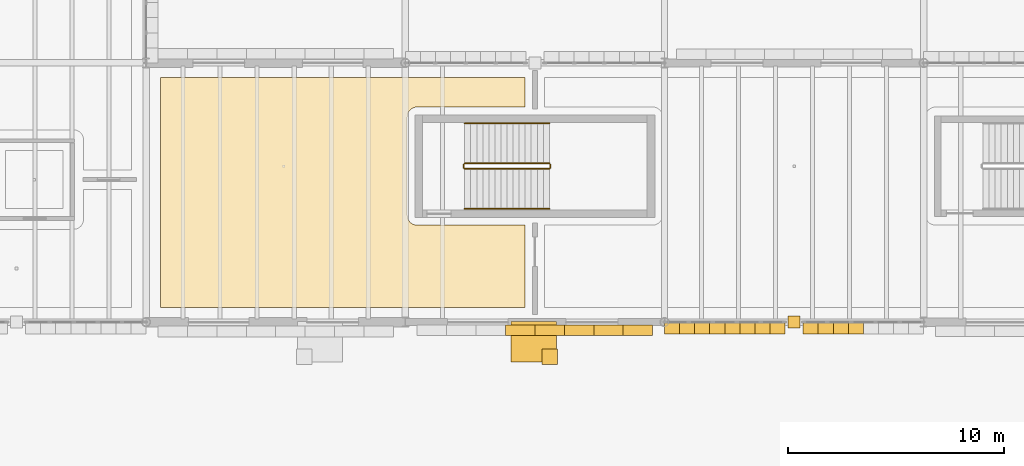
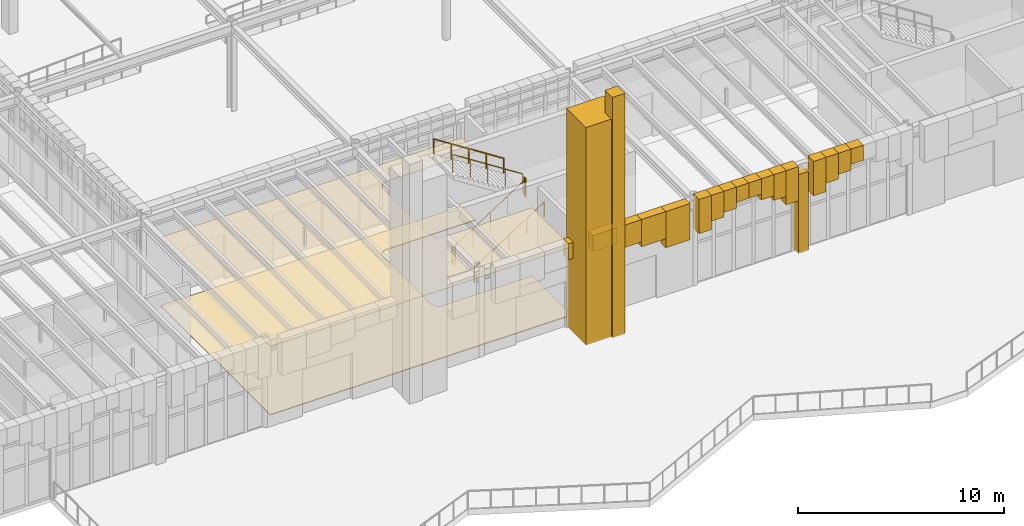
# One storey, part 84 of 103: 22 coverings, 6 railings.
"""IFC4 building model written with IfcOpenShell, lengths in metres."""

from ifc_helpers import new_model, si_unit, direction, frame, origin, origin_2d, place, context, subcontext, project, spatial, polyline, circle, outline, extrude, material, layer, layer_set, type_object, element, save


model = new_model("IFC4")

# Units and contexts
model_context = context("Model", 3, precision=1e-05, world=origin(), true_north=direction((0.0, 1.0)))
body_context = subcontext(model_context, "Body", "Model", "MODEL_VIEW")
ifc_project = project(units=[si_unit("LENGTHUNIT", "METRE"), si_unit("AREAUNIT", "SQUARE_METRE"), si_unit("VOLUMEUNIT", "CUBIC_METRE"), si_unit("PLANEANGLEUNIT", "RADIAN"), si_unit("MASSUNIT", "GRAM", prefix="KILO")], contexts=[model_context])

# Site, building, storey
site_placement = place(None, origin())
site = spatial("IfcSite", under=ifc_project, at=site_placement, CompositionType="ELEMENT")
building_placement = place(site_placement, origin())
building = spatial("IfcBuilding", under=site, at=building_placement, Name="Zlatogorsky Bluff Art Gallery", CompositionType="ELEMENT")
storey_placement = place(building_placement, origin())
storey = spatial("IfcBuildingStorey", under=building, at=storey_placement, Name="L00", CompositionType="ELEMENT", Elevation=0.0)

# Coverings
ifc_material_1 = material(Name="Perforated Gypsum Acoustic Board", Category="gypsum")
ifc_layer_1 = layer(ifc_material_1, 0.0400390625)
ifc_layer_set_1 = layer_set([ifc_layer_1], Name="Acoustic Gallery Ceiling CLG-01")
covering_type_1 = type_object("IfcCoveringType", Name="Acoustic Gallery Ceiling CLG-01", PredefinedType="CEILING", material=ifc_layer_set_1)
covering_1_placement = place(storey_placement, frame((0.0, 0.0, 4.050048828125)))
element("IfcCovering", 1, at=covering_1_placement, inside=storey, type_object=covering_type_1, Name="Winter-Garden Concourse acoustic ceiling", PredefinedType="CEILING", context=body_context, shape_type="SweptSolid", body=[
    extrude(outline(polyline([(77.550048828125, 93.9599609375), (72.549072265625, 93.9599609375), (72.504638671875, 93.957763671875), (72.460693359375, 93.951416015625), (72.459716796875, 93.951171875), (72.450439453125, 93.94921875), (72.449462890625, 93.948974609375), (72.40625, 93.93701171875), (72.3642578125, 93.9208984375), (72.36328125, 93.92041015625), (72.362548828125, 93.919921875), (72.326904296875, 93.902099609375), (72.325927734375, 93.901611328125), (72.293701171875, 93.882080078125), (72.26318359375, 93.859619140625), (72.26171875, 93.8583984375), (72.224609375, 93.8251953125), (72.19140625, 93.7880859375), (72.190185546875, 93.78662109375), (72.16796875, 93.75634765625), (72.148193359375, 93.72412109375), (72.147705078125, 93.72314453125), (72.1298828125, 93.6875), (72.129150390625, 93.685791015625), (72.113037109375, 93.643798828125), (72.10107421875, 93.6005859375), (72.100830078125, 93.599609375), (72.098876953125, 93.59033203125), (72.0986328125, 93.58935546875), (72.09228515625, 93.54541015625), (72.090087890625, 93.5009765625), (72.090087890625, 88.948974609375), (72.09228515625, 88.90478515625), (72.0986328125, 88.860595703125), (72.098876953125, 88.859619140625), (72.100830078125, 88.850341796875), (72.10107421875, 88.849609375), (72.113037109375, 88.80615234375), (72.129150390625, 88.764404296875), (72.1298828125, 88.762451171875), (72.147705078125, 88.726806640625), (72.148193359375, 88.725830078125), (72.16796875, 88.693603515625), (72.190185546875, 88.663330078125), (72.19140625, 88.661865234375), (72.224609375, 88.624755859375), (72.26171875, 88.591552734375), (72.26318359375, 88.59033203125), (72.293701171875, 88.568115234375), (72.325927734375, 88.54833984375), (72.326904296875, 88.5478515625), (72.362548828125, 88.530029296875), (72.3642578125, 88.529296875), (72.40625, 88.512939453125), (72.449462890625, 88.501220703125), (72.450439453125, 88.5009765625), (72.459716796875, 88.498779296875), (72.460693359375, 88.498779296875), (72.504638671875, 88.4921875), (72.549072265625, 88.489990234375), (77.550048828125, 88.489990234375), (77.550048828125, 84.669921875), (60.669921875, 84.669921875), (60.669921875, 95.330078125), (77.550048828125, 95.330078125), (77.550048828125, 93.9599609375)])), origin(), (0.0, 0.0, 1.0), 0.0400390625),
])
ifc_material_2 = material(Name="Honed Red Agra-Tone Quartzitic Sandstone", Category="masonry")
ifc_layer_2 = layer(ifc_material_2, 0.1201171875)
ifc_layer_set_2 = layer_set([ifc_layer_2], Name="Carved Sandstone Cladding CLD-02")
covering_type_2 = type_object("IfcCoveringType", Name="Carved Sandstone Cladding CLD-02", PredefinedType="CLADDING", material=ifc_layer_set_2)
covering_2_placement = place(storey_placement, frame((0.0, 0.0, 4.405517578125)))
element("IfcCovering", 2, at=covering_2_placement, inside=storey, type_object=covering_type_2, Name="Pointed Mughal arch voussoir spandrel WARCH-L00-S-06-08-A.4", PredefinedType="CLADDING", context=body_context, shape_type="SweptSolid", body=[
    extrude(outline(polyline([(76.637451171875, 83.3798828125), (78.0, 83.3798828125), (78.0, 83.8701171875), (76.637451171875, 83.8701171875), (76.637451171875, 83.3798828125)])), origin(), (0.0, 0.0, 1.0), 0.95458984375),
])
covering_3_placement = place(storey_placement, frame((0.0, 0.0, 4.405517578125)))
element("IfcCovering", 3, at=covering_3_placement, inside=storey, type_object=covering_type_2, Name="Pointed Mughal arch voussoir spandrel WARCH-L00-S-06-08-A.5", PredefinedType="CLADDING", context=body_context, shape_type="SweptSolid", body=[
    extrude(outline(polyline([(78.0, 83.3798828125), (79.362548828125, 83.3798828125), (79.362548828125, 83.8701171875), (78.0, 83.8701171875), (78.0, 83.3798828125)])), origin(), (0.0, 0.0, 1.0), 0.95458984375),
])
covering_4_placement = place(storey_placement, frame((0.0, 0.0, 4.03662109375)))
element("IfcCovering", 4, at=covering_4_placement, inside=storey, type_object=covering_type_2, Name="Pointed Mughal arch voussoir spandrel WARCH-L00-S-06-08-A.6", PredefinedType="CLADDING", context=body_context, shape_type="SweptSolid", body=[
    extrude(outline(polyline([(79.362548828125, 83.3798828125), (80.72509765625, 83.3798828125), (80.72509765625, 83.8701171875), (79.362548828125, 83.8701171875), (79.362548828125, 83.3798828125)])), origin(), (0.0, 0.0, 1.0), 1.323486328125),
])
covering_5_placement = place(storey_placement, frame((0.0, 0.0, 3.743896484375)))
element("IfcCovering", 5, at=covering_5_placement, inside=storey, type_object=covering_type_2, Name="Pointed Mughal arch voussoir spandrel WARCH-L00-S-06-08-A.7", PredefinedType="CLADDING", context=body_context, shape_type="SweptSolid", body=[
    extrude(outline(polyline([(80.72509765625, 83.3798828125), (82.08740234375, 83.3798828125), (82.08740234375, 83.8701171875), (80.72509765625, 83.8701171875), (80.72509765625, 83.3798828125)])), origin(), (0.0, 0.0, 1.0), 1.6162109375),
])
covering_6_placement = place(storey_placement, frame((0.0, 0.0, 3.21240234375)))
element("IfcCovering", 6, at=covering_6_placement, inside=storey, type_object=covering_type_2, Name="Pointed Mughal arch voussoir spandrel WARCH-L00-S-06-08-A.8", PredefinedType="CLADDING", context=body_context, shape_type="SweptSolid", body=[
    extrude(outline(polyline([(82.08740234375, 83.3798828125), (83.449951171875, 83.3798828125), (83.449951171875, 83.8701171875), (82.08740234375, 83.8701171875), (82.08740234375, 83.3798828125)])), origin(), (0.0, 0.0, 1.0), 2.147705078125),
])
covering_7_placement = place(storey_placement, frame((0.0, 0.0, -0.030029296875)))
element("IfcCovering", 7, at=covering_7_placement, inside=storey, type_object=covering_type_2, Name="Mughal dalan central sandstone pier L00 S 7.8", PredefinedType="CLADDING", context=body_context, shape_type="SweptSolid", body=[
    extrude(outline(polyline([(89.719970703125, 83.719970703125), (90.280029296875, 83.719970703125), (90.280029296875, 84.280029296875), (89.719970703125, 84.280029296875), (89.719970703125, 83.719970703125)])), origin(), (0.0, 0.0, 1.0), 4.68994140625),
])
covering_8_placement = place(storey_placement, frame((0.0, 0.0, 3.327880859375)))
element("IfcCovering", 8, at=covering_8_placement, inside=storey, type_object=covering_type_2, Name="Pointed Mughal arch voussoir spandrel ARCH-CW-L00-S-07-08-A.1", PredefinedType="CLADDING", context=body_context, shape_type="SweptSolid", body=[
    extrude(outline(polyline([(84.0, 83.4599609375), (84.697509765625, 83.4599609375), (84.697509765625, 84.030029296875), (84.0, 84.030029296875), (84.0, 83.4599609375)])), origin(), (0.0, 0.0, 1.0), 2.0322265625),
])
covering_9_placement = place(storey_placement, frame((0.0, 0.0, 3.82958984375)))
element("IfcCovering", 9, at=covering_9_placement, inside=storey, type_object=covering_type_2, Name="Pointed Mughal arch voussoir spandrel ARCH-CW-L00-S-07-08-A.2", PredefinedType="CLADDING", context=body_context, shape_type="SweptSolid", body=[
    extrude(outline(polyline([(84.697509765625, 83.4599609375), (85.39501953125, 83.4599609375), (85.39501953125, 84.030029296875), (84.697509765625, 84.030029296875), (84.697509765625, 83.4599609375)])), origin(), (0.0, 0.0, 1.0), 1.530517578125),
])
covering_10_placement = place(storey_placement, frame((0.0, 0.0, 4.1064453125)))
element("IfcCovering", 10, at=covering_10_placement, inside=storey, type_object=covering_type_2, Name="Pointed Mughal arch voussoir spandrel ARCH-CW-L00-S-07-08-A.3", PredefinedType="CLADDING", context=body_context, shape_type="SweptSolid", body=[
    extrude(outline(polyline([(85.39501953125, 83.4599609375), (86.092529296875, 83.4599609375), (86.092529296875, 84.030029296875), (85.39501953125, 84.030029296875), (85.39501953125, 83.4599609375)])), origin(), (0.0, 0.0, 1.0), 1.253662109375),
])
covering_11_placement = place(storey_placement, frame((0.0, 0.0, 4.45458984375)))
element("IfcCovering", 11, at=covering_11_placement, inside=storey, type_object=covering_type_2, Name="Pointed Mughal arch voussoir spandrel ARCH-CW-L00-S-07-08-A.4", PredefinedType="CLADDING", context=body_context, shape_type="SweptSolid", body=[
    extrude(outline(polyline([(86.092529296875, 83.4599609375), (86.7900390625, 83.4599609375), (86.7900390625, 84.030029296875), (86.092529296875, 84.030029296875), (86.092529296875, 83.4599609375)])), origin(), (0.0, 0.0, 1.0), 0.905517578125),
])
covering_12_placement = place(storey_placement, frame((0.0, 0.0, 4.45458984375)))
element("IfcCovering", 12, at=covering_12_placement, inside=storey, type_object=covering_type_2, Name="Pointed Mughal arch voussoir spandrel ARCH-CW-L00-S-07-08-A.5", PredefinedType="CLADDING", context=body_context, shape_type="SweptSolid", body=[
    extrude(outline(polyline([(86.7900390625, 83.4599609375), (87.487548828125, 83.4599609375), (87.487548828125, 84.030029296875), (86.7900390625, 84.030029296875), (86.7900390625, 83.4599609375)])), origin(), (0.0, 0.0, 1.0), 0.905517578125),
])
covering_13_placement = place(storey_placement, frame((0.0, 0.0, 4.1064453125)))
element("IfcCovering", 13, at=covering_13_placement, inside=storey, type_object=covering_type_2, Name="Pointed Mughal arch voussoir spandrel ARCH-CW-L00-S-07-08-A.6", PredefinedType="CLADDING", context=body_context, shape_type="SweptSolid", body=[
    extrude(outline(polyline([(87.487548828125, 83.4599609375), (88.18505859375, 83.4599609375), (88.18505859375, 84.030029296875), (87.487548828125, 84.030029296875), (87.487548828125, 83.4599609375)])), origin(), (0.0, 0.0, 1.0), 1.253662109375),
])
covering_14_placement = place(storey_placement, frame((0.0, 0.0, 3.82958984375)))
element("IfcCovering", 14, at=covering_14_placement, inside=storey, type_object=covering_type_2, Name="Pointed Mughal arch voussoir spandrel ARCH-CW-L00-S-07-08-A.7", PredefinedType="CLADDING", context=body_context, shape_type="SweptSolid", body=[
    extrude(outline(polyline([(88.18505859375, 83.4599609375), (88.882568359375, 83.4599609375), (88.882568359375, 84.030029296875), (88.18505859375, 84.030029296875), (88.18505859375, 83.4599609375)])), origin(), (0.0, 0.0, 1.0), 1.530517578125),
])
covering_15_placement = place(storey_placement, frame((0.0, 0.0, 3.327880859375)))
element("IfcCovering", 15, at=covering_15_placement, inside=storey, type_object=covering_type_2, Name="Pointed Mughal arch voussoir spandrel ARCH-CW-L00-S-07-08-A.8", PredefinedType="CLADDING", context=body_context, shape_type="SweptSolid", body=[
    extrude(outline(polyline([(88.882568359375, 83.4599609375), (89.580078125, 83.4599609375), (89.580078125, 84.030029296875), (88.882568359375, 84.030029296875), (88.882568359375, 83.4599609375)])), origin(), (0.0, 0.0, 1.0), 2.0322265625),
])
covering_16_placement = place(storey_placement, frame((0.0, 0.0, 3.327880859375)))
element("IfcCovering", 16, at=covering_16_placement, inside=storey, type_object=covering_type_2, Name="Pointed Mughal arch voussoir spandrel ARCH-CW-L00-S-07-08-B.1", PredefinedType="CLADDING", context=body_context, shape_type="SweptSolid", body=[
    extrude(outline(polyline([(90.419921875, 83.4599609375), (91.117431640625, 83.4599609375), (91.117431640625, 84.030029296875), (90.419921875, 84.030029296875), (90.419921875, 83.4599609375)])), origin(), (0.0, 0.0, 1.0), 2.0322265625),
])
covering_17_placement = place(storey_placement, frame((0.0, 0.0, 3.82958984375)))
element("IfcCovering", 17, at=covering_17_placement, inside=storey, type_object=covering_type_2, Name="Pointed Mughal arch voussoir spandrel ARCH-CW-L00-S-07-08-B.2", PredefinedType="CLADDING", context=body_context, shape_type="SweptSolid", body=[
    extrude(outline(polyline([(91.117431640625, 83.4599609375), (91.81494140625, 83.4599609375), (91.81494140625, 84.030029296875), (91.117431640625, 84.030029296875), (91.117431640625, 83.4599609375)])), origin(), (0.0, 0.0, 1.0), 1.530517578125),
])
covering_18_placement = place(storey_placement, frame((0.0, 0.0, 4.1064453125)))
element("IfcCovering", 18, at=covering_18_placement, inside=storey, type_object=covering_type_2, Name="Pointed Mughal arch voussoir spandrel ARCH-CW-L00-S-07-08-B.3", PredefinedType="CLADDING", context=body_context, shape_type="SweptSolid", body=[
    extrude(outline(polyline([(91.81494140625, 83.4599609375), (92.512451171875, 83.4599609375), (92.512451171875, 84.030029296875), (91.81494140625, 84.030029296875), (91.81494140625, 83.4599609375)])), origin(), (0.0, 0.0, 1.0), 1.253662109375),
])
covering_19_placement = place(storey_placement, frame((0.0, 0.0, 4.45458984375)))
element("IfcCovering", 19, at=covering_19_placement, inside=storey, type_object=covering_type_2, Name="Pointed Mughal arch voussoir spandrel ARCH-CW-L00-S-07-08-B.4", PredefinedType="CLADDING", context=body_context, shape_type="SweptSolid", body=[
    extrude(outline(polyline([(92.512451171875, 83.4599609375), (93.2099609375, 83.4599609375), (93.2099609375, 84.030029296875), (92.512451171875, 84.030029296875), (92.512451171875, 83.4599609375)])), origin(), (0.0, 0.0, 1.0), 0.905517578125),
])
covering_20_placement = place(storey_placement, origin())
element("IfcCovering", 20, at=covering_20_placement, inside=storey, type_object=covering_type_2, Name="Monumental Pishtaq portal pier PISHTAQ-COURT-IWAN.R", PredefinedType="CLADDING", context=body_context, shape_type="SweptSolid", body=[
    extrude(outline(polyline([(76.89990234375, 82.14990234375), (79.0, 82.14990234375), (79.0, 84.0400390625), (76.89990234375, 84.0400390625), (76.89990234375, 82.14990234375)])), origin(), (0.0, 0.0, 1.0), 12.89990234375),
])

# Railings
ifc_material_3 = material(Name="Architectural Bronze and Laminated Glass", Category="glass")
railing_type_1 = type_object("IfcRailingType", Name="Gallery Guard Rail 1100mm", PredefinedType="GUARDRAIL", material=ifc_material_3)
railing_1_placement = place(storey_placement, frame((74.75, 91.10009765625, 0.179931640625)))
element("IfcRailing", 21, at=railing_1_placement, inside=storey, type_object=railing_type_1, Name="L00 ST-08 stair guard 1", PredefinedType="GUARDRAIL", context=body_context, shape_type="SweptSolid", body=[
    extrude(circle(Radius=0.02392578125, at=origin_2d()), frame((0.0, 0.0, 1.076171875), z_axis=(0.841171666519, 0.0, 0.540768182723), x_axis=(0.0, 1.0, 0.0)), (0.0, 0.0, 1.0), 4.66015625),
    extrude(circle(Radius=0.02099609375, at=origin_2d()), origin(), (0.0, 0.0, 1.0), 1.052001953125),
    extrude(circle(Radius=0.02099609375, at=origin_2d()), frame((0.97998046875, 0.0, 0.6298828125)), (0.0, 0.0, 1.0), 1.052001953125),
    extrude(circle(Radius=0.02099609375, at=origin_2d()), frame((1.9599609375, 0.0, 1.260009765625)), (0.0, 0.0, 1.0), 1.052001953125),
    extrude(circle(Radius=0.02099609375, at=origin_2d()), frame((2.93994140625, 0.0, 1.89013671875)), (0.0, 0.0, 1.0), 1.052001953125),
    extrude(circle(Radius=0.02099609375, at=origin_2d()), frame((3.919921875, 0.0, 2.52001953125)), (0.0, 0.0, 1.0), 1.052001953125),
])
railing_2_placement = place(storey_placement, frame((78.719970703125, 91.14990234375, 2.699951171875)))
element("IfcRailing", 22, at=railing_2_placement, inside=storey, type_object=railing_type_1, Name="L00 ST-08 stair guard 2", PredefinedType="GUARDRAIL", context=body_context, shape_type="SweptSolid", body=[
    extrude(circle(Radius=0.02392578125, at=origin_2d()), frame((0.0, 0.0, 1.076171875), z_axis=(0.0, 1.0, 0.0), x_axis=(-1.0, 0.0, 0.0)), (0.0, 0.0, 1.0), 0.150146484375),
    extrude(circle(Radius=0.02099609375, at=origin_2d()), origin(), (0.0, 0.0, 1.0), 1.052001953125),
    extrude(circle(Radius=0.02099609375, at=origin_2d()), frame((0.0, 0.150146484375, 0.0)), (0.0, 0.0, 1.0), 1.052001953125),
])
railing_3_placement = place(storey_placement, frame((78.669921875, 91.35009765625, 2.8798828125)))
element("IfcRailing", 23, at=railing_3_placement, inside=storey, type_object=railing_type_1, Name="L00 ST-08 stair guard 3", PredefinedType="GUARDRAIL", context=body_context, shape_type="SweptSolid", body=[
    extrude(circle(Radius=0.02392578125, at=origin_2d()), frame((0.0, 0.0, 1.076171875), z_axis=(-0.841171666519, 0.0, 0.540768182723), x_axis=(0.0, -1.0, 0.0)), (0.0, 0.0, 1.0), 4.66015625),
    extrude(circle(Radius=0.02099609375, at=origin_2d()), origin(), (0.0, 0.0, 1.0), 1.052001953125),
    extrude(circle(Radius=0.02099609375, at=origin_2d()), frame((-0.97998046875, 0.0, 0.6298828125)), (0.0, 0.0, 1.0), 1.052001953125),
    extrude(circle(Radius=0.02099609375, at=origin_2d()), frame((-1.9599609375, 0.0, 1.260009765625)), (0.0, 0.0, 1.0), 1.052001953125),
    extrude(circle(Radius=0.02099609375, at=origin_2d()), frame((-2.93994140625, 0.0, 1.89013671875)), (0.0, 0.0, 1.0), 1.052001953125),
    extrude(circle(Radius=0.02099609375, at=origin_2d()), frame((-3.919921875, 0.0, 2.52001953125)), (0.0, 0.0, 1.0), 1.052001953125),
])
railing_4_placement = place(storey_placement, frame((74.699951171875, 91.14990234375, 0.0)))
element("IfcRailing", 24, at=railing_4_placement, inside=storey, type_object=railing_type_1, Name="L00 ST-08 stair guard 4", PredefinedType="GUARDRAIL", context=body_context, shape_type="SweptSolid", body=[
    extrude(circle(Radius=0.02392578125, at=origin_2d()), frame((0.0, 0.0, 1.076171875), z_axis=(0.0, 1.0, 0.0), x_axis=(-1.0, 0.0, 0.0)), (0.0, 0.0, 1.0), 0.150146484375),
    extrude(circle(Radius=0.02099609375, at=origin_2d()), origin(), (0.0, 0.0, 1.0), 1.052001953125),
    extrude(circle(Radius=0.02099609375, at=origin_2d()), frame((0.0, 0.150146484375, 0.0)), (0.0, 0.0, 1.0), 1.052001953125),
])
ifc_material_4 = material(Name="Brushed Stainless Steel", Category="steel")
railing_type_2 = type_object("IfcRailingType", Name="Stair Pitch Handrail 900mm", PredefinedType="HANDRAIL", material=ifc_material_4)
railing_5_placement = place(storey_placement, frame((74.75, 89.25, 0.179931640625)))
element("IfcRailing", 25, at=railing_5_placement, inside=storey, type_object=railing_type_2, Name="L00 ST-08 stair handrail 1", PredefinedType="HANDRAIL", context=body_context, shape_type="SweptSolid", body=[
    extrude(circle(Radius=0.02392578125, at=origin_2d()), frame((0.0, 0.0, 0.8759765625), z_axis=(0.841171666519, 0.0, 0.540768182723), x_axis=(0.0, 1.0, 0.0)), (0.0, 0.0, 1.0), 4.66015625),
    extrude(circle(Radius=0.02099609375, at=origin_2d()), origin(), (0.0, 0.0, 1.0), 0.851806640625),
    extrude(circle(Radius=0.02099609375, at=origin_2d()), frame((0.97998046875, 0.0, 0.6298828125)), (0.0, 0.0, 1.0), 0.851806640625),
    extrude(circle(Radius=0.02099609375, at=origin_2d()), frame((1.9599609375, 0.0, 1.260009765625)), (0.0, 0.0, 1.0), 0.851806640625),
    extrude(circle(Radius=0.02099609375, at=origin_2d()), frame((2.93994140625, 0.0, 1.89013671875)), (0.0, 0.0, 1.0), 0.851806640625),
    extrude(circle(Radius=0.02099609375, at=origin_2d()), frame((3.919921875, 0.0, 2.52001953125)), (0.0, 0.0, 1.0), 0.851806640625),
])
railing_6_placement = place(storey_placement, frame((78.669921875, 93.199951171875, 2.8798828125)))
element("IfcRailing", 26, at=railing_6_placement, inside=storey, type_object=railing_type_2, Name="L00 ST-08 stair handrail 2", PredefinedType="HANDRAIL", context=body_context, shape_type="SweptSolid", body=[
    extrude(circle(Radius=0.02392578125, at=origin_2d()), frame((0.0, 0.0, 0.8759765625), z_axis=(-0.841171666519, 0.0, 0.540768182723), x_axis=(0.0, -1.0, 0.0)), (0.0, 0.0, 1.0), 4.66015625),
    extrude(circle(Radius=0.02099609375, at=origin_2d()), origin(), (0.0, 0.0, 1.0), 0.851806640625),
    extrude(circle(Radius=0.02099609375, at=origin_2d()), frame((-0.97998046875, 0.0, 0.6298828125)), (0.0, 0.0, 1.0), 0.851806640625),
    extrude(circle(Radius=0.02099609375, at=origin_2d()), frame((-1.9599609375, 0.0, 1.260009765625)), (0.0, 0.0, 1.0), 0.851806640625),
    extrude(circle(Radius=0.02099609375, at=origin_2d()), frame((-2.93994140625, 0.0, 1.89013671875)), (0.0, 0.0, 1.0), 0.851806640625),
    extrude(circle(Radius=0.02099609375, at=origin_2d()), frame((-3.919921875, 0.0, 2.52001953125)), (0.0, 0.0, 1.0), 0.851806640625),
])

# Coverings
ifc_material_5 = material(Name="Polished Ural Marble Terrazzo", Category="masonry")
ifc_layer_3 = layer(ifc_material_5, 0.050048828125)
ifc_layer_set_3 = layer_set([ifc_layer_3], Name="Terrazzo Gallery Flooring FLR-01")
covering_type_3 = type_object("IfcCoveringType", Name="Terrazzo Gallery Flooring FLR-01", PredefinedType="FLOORING", material=ifc_layer_set_3)
covering_21_placement = place(storey_placement, origin())
element("IfcCovering", 27, at=covering_21_placement, inside=storey, type_object=covering_type_3, Name="Winter-Garden Concourse terrazzo floor finish", PredefinedType="FLOORING", context=body_context, shape_type="SweptSolid", body=[
    extrude(outline(polyline([(77.550048828125, 93.9599609375), (72.549072265625, 93.9599609375), (72.504638671875, 93.957763671875), (72.460693359375, 93.951416015625), (72.459716796875, 93.951171875), (72.450439453125, 93.94921875), (72.449462890625, 93.948974609375), (72.40625, 93.93701171875), (72.3642578125, 93.9208984375), (72.36328125, 93.92041015625), (72.362548828125, 93.919921875), (72.326904296875, 93.902099609375), (72.325927734375, 93.901611328125), (72.293701171875, 93.882080078125), (72.26318359375, 93.859619140625), (72.26171875, 93.8583984375), (72.224609375, 93.8251953125), (72.19140625, 93.7880859375), (72.190185546875, 93.78662109375), (72.16796875, 93.75634765625), (72.148193359375, 93.72412109375), (72.147705078125, 93.72314453125), (72.1298828125, 93.6875), (72.129150390625, 93.685791015625), (72.113037109375, 93.643798828125), (72.10107421875, 93.6005859375), (72.100830078125, 93.599609375), (72.098876953125, 93.59033203125), (72.0986328125, 93.58935546875), (72.09228515625, 93.54541015625), (72.090087890625, 93.5009765625), (72.090087890625, 88.948974609375), (72.09228515625, 88.90478515625), (72.0986328125, 88.860595703125), (72.098876953125, 88.859619140625), (72.100830078125, 88.850341796875), (72.10107421875, 88.849609375), (72.113037109375, 88.80615234375), (72.129150390625, 88.764404296875), (72.1298828125, 88.762451171875), (72.147705078125, 88.726806640625), (72.148193359375, 88.725830078125), (72.16796875, 88.693603515625), (72.190185546875, 88.663330078125), (72.19140625, 88.661865234375), (72.224609375, 88.624755859375), (72.26171875, 88.591552734375), (72.26318359375, 88.59033203125), (72.293701171875, 88.568115234375), (72.325927734375, 88.54833984375), (72.326904296875, 88.5478515625), (72.362548828125, 88.530029296875), (72.3642578125, 88.529296875), (72.40625, 88.512939453125), (72.449462890625, 88.501220703125), (72.450439453125, 88.5009765625), (72.459716796875, 88.498779296875), (72.460693359375, 88.498779296875), (72.504638671875, 88.4921875), (72.549072265625, 88.489990234375), (77.550048828125, 88.489990234375), (77.550048828125, 84.669921875), (60.669921875, 84.669921875), (60.669921875, 95.330078125), (77.550048828125, 95.330078125), (77.550048828125, 93.9599609375)])), origin(), (0.0, 0.0, 1.0), 0.050048828125),
])
ifc_material_6 = material(Name="Patinated Architectural Bronze Fin", Category="metal")
ifc_layer_4 = layer(ifc_material_6, 0.110107421875)
ifc_layer_set_4 = layer_set([ifc_layer_4], Name="Vertical Gallery Fin FIN-01")
covering_type_4 = type_object("IfcCoveringType", Name="Vertical Gallery Fin FIN-01", PredefinedType="CLADDING", material=ifc_layer_set_4)
covering_22_placement = place(storey_placement, origin())
element("IfcCovering", 28, at=covering_22_placement, inside=storey, type_object=covering_type_4, Name="Pishtaq corner guldasta turret PISHTAQ-COURT-IWAN.R", PredefinedType="CLADDING", context=body_context, shape_type="SweptSolid", body=[
    extrude(outline(polyline([(78.320068359375, 82.0400390625), (79.0400390625, 82.0400390625), (79.0400390625, 82.760009765625), (78.320068359375, 82.760009765625), (78.320068359375, 82.0400390625)])), origin(), (0.0, 0.0, 1.0), 14.25),
])

save(model, "model.ifc")
